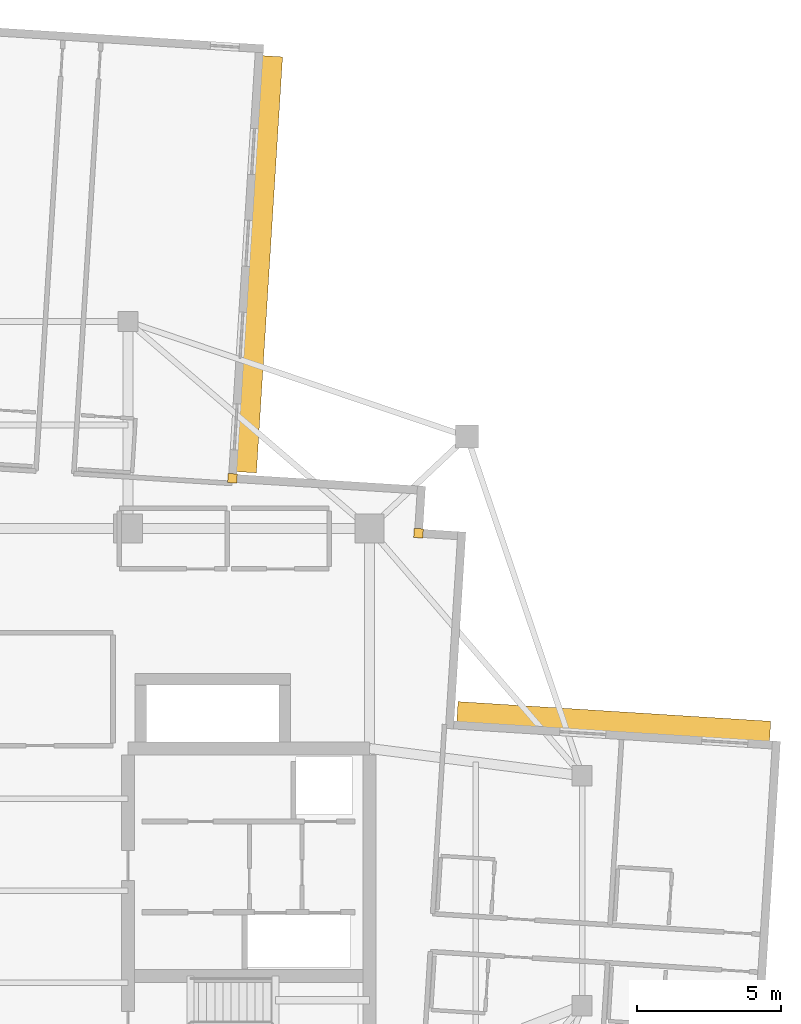
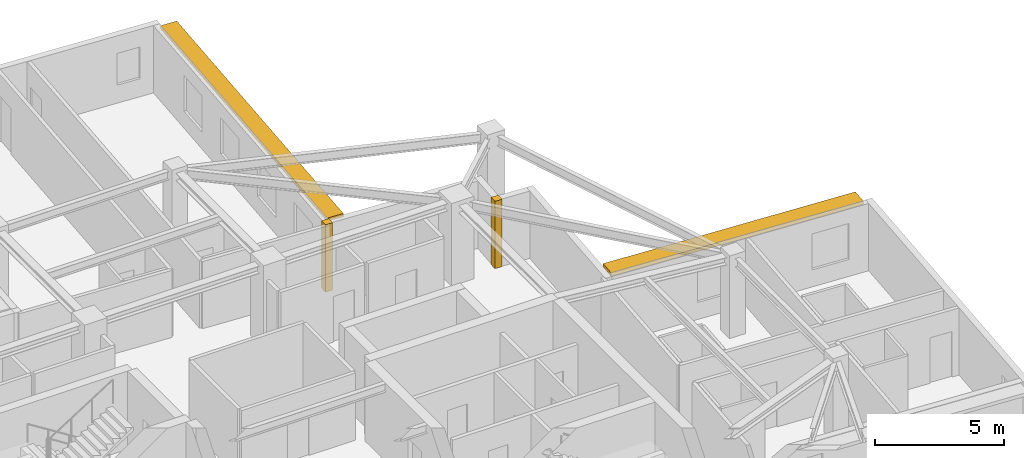
# One storey, part 12 of 12: 2 coverings, 2 shading devices.
"""IFC4 building model written with IfcOpenShell, lengths in metres."""

from ifc_helpers import new_model, si_unit, direction, frame, origin, origin_2d, place, context, subcontext, project, spatial, rectangle, extrude, material, layer, layer_set, type_object, element, save


model = new_model("IFC4")

# Units and contexts
model_context = context("Model", 3, precision=1e-05, world=origin(), true_north=direction((0.0, 1.0)))
body_context = subcontext(model_context, "Body", "Model", "MODEL_VIEW")
ifc_project = project(units=[si_unit("LENGTHUNIT", "METRE"), si_unit("AREAUNIT", "SQUARE_METRE"), si_unit("VOLUMEUNIT", "CUBIC_METRE"), si_unit("PLANEANGLEUNIT", "RADIAN"), si_unit("MASSUNIT", "GRAM", prefix="KILO")], contexts=[model_context])

# Site, building, storey
site_placement = place(None, origin())
site = spatial("IfcSite", under=ifc_project, at=site_placement, CompositionType="ELEMENT")
building_placement = place(site_placement, origin())
building = spatial("IfcBuilding", under=site, at=building_placement, Name="Qingluan Cross Belvedere", CompositionType="ELEMENT")
storey_placement = place(building_placement, frame((0.0, 0.0, 249.89990234375)))
storey = spatial("IfcBuildingStorey", under=building, at=storey_placement, Name="L62", CompositionType="ELEMENT", Elevation=249.89990234375)

# Coverings
ifc_material_1 = material(Name="Precast concrete C45", Category="concrete")
ifc_layer_1 = layer(ifc_material_1, 0.1201171875, Name="ConcreteSpandrelCladding_120")
ifc_layer_set_1 = layer_set([ifc_layer_1], Name="Precast concrete C45")
covering_type = type_object("IfcCoveringType", Name="ConcreteSpandrelCladding_120", PredefinedType="CLADDING", material=ifc_layer_set_1)
for number, where, z_axis, x_axis, name in (
    (1, (14.10888671875, 12.438720703125, 0.0), (0.0, 0.0, 1.0), (0.998026728428, -0.062790519529, 0.0), "Corner closure L62-NE1"),
    (2, (7.635986328125, 14.348876953125, 0.0), (0.0, 0.0, 1.0), (0.998026728428, -0.062790519529, 0.0), "Corner closure L62-NE2"),
):
    element("IfcCovering", number, at=place(storey_placement, frame(where, z_axis=z_axis, x_axis=x_axis)), inside=storey, type_object=covering_type, Name=name, PredefinedType="CLADDING", context=body_context, shape_type="SweptSolid", body=[
        extrude(rectangle(XDim=0.320068359375, YDim=0.320068359375, at=origin_2d()), origin(), (0.0, 0.0, 1.0), 3.179931640625),
    ])

# Shading devices
ifc_material_2 = material(Name="Precast concrete C45", Category="concrete")
ifc_layer_2 = layer(ifc_material_2, 0.139892578125, Name="ConcreteSunshadeBand_700")
ifc_layer_set_2 = layer_set([ifc_layer_2], Name="Precast concrete C45")
shading_device_type = type_object("IfcShadingDeviceType", Name="ConcreteSunshadeBand_700", PredefinedType="USERDEFINED", material=ifc_layer_set_2)
shading_device_1_placement = place(storey_placement, frame((20.901123046875, 5.88916015625, 3.0), z_axis=(0.0, 0.0, 1.0), x_axis=(-0.99802715169, 0.062783791618, 0.0)))
element("IfcShadingDevice", 3, at=shading_device_1_placement, inside=storey, type_object=shading_device_type, Name="Concrete SUNSHADE L62-EB", ObjectType="SUNSHADE", PredefinedType="USERDEFINED", context=body_context, shape_type="SweptSolid", body=[
    extrude(rectangle(XDim=10.89990234375, YDim=0.699951171875, at=origin_2d()), origin(), (0.0, 0.0, 1.0), 0.159912109375),
])
shading_device_2_placement = place(storey_placement, frame((8.575439453125, 21.794677734375, 3.0), z_axis=(0.0, 0.0, 1.0), x_axis=(0.062795866837, 0.99802639199, 0.0)))
element("IfcShadingDevice", 4, at=shading_device_2_placement, inside=storey, type_object=shading_device_type, Name="Concrete SUNSHADE L62-NA", ObjectType="SUNSHADE", PredefinedType="USERDEFINED", context=body_context, shape_type="SweptSolid", body=[
    extrude(rectangle(XDim=14.5, YDim=0.699951171875, at=origin_2d()), origin(), (0.0, 0.0, 1.0), 0.159912109375),
])

save(model, "model.ifc")
